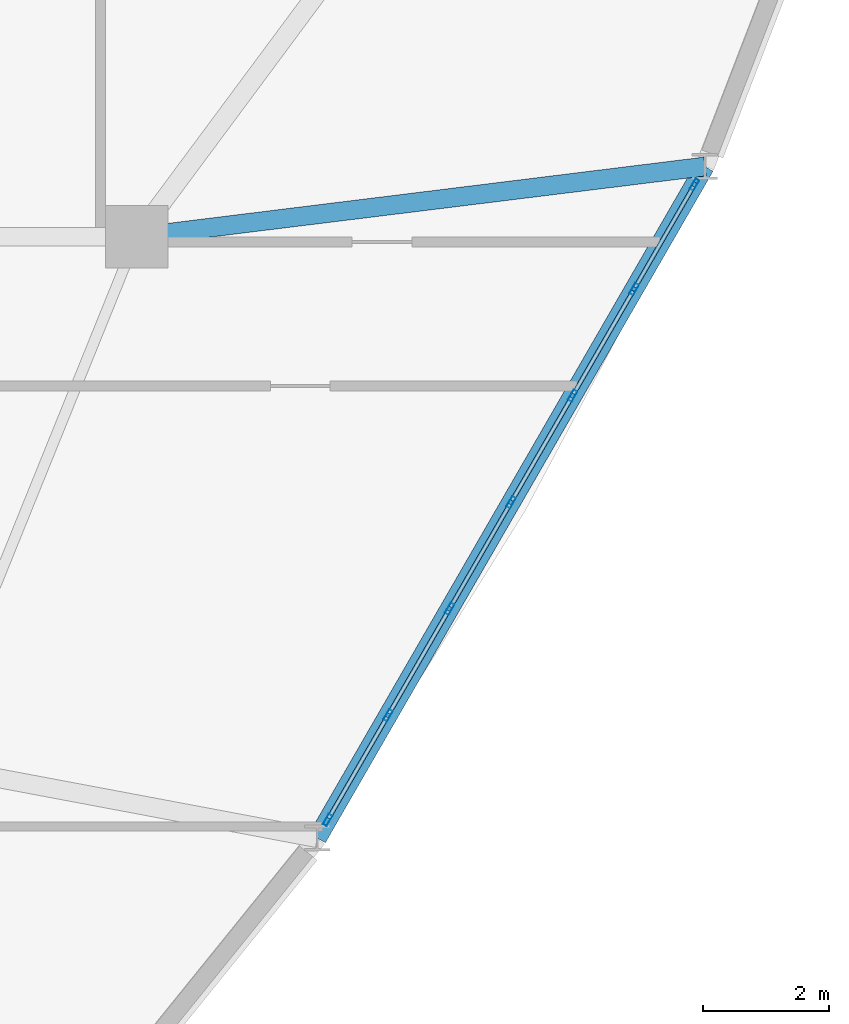
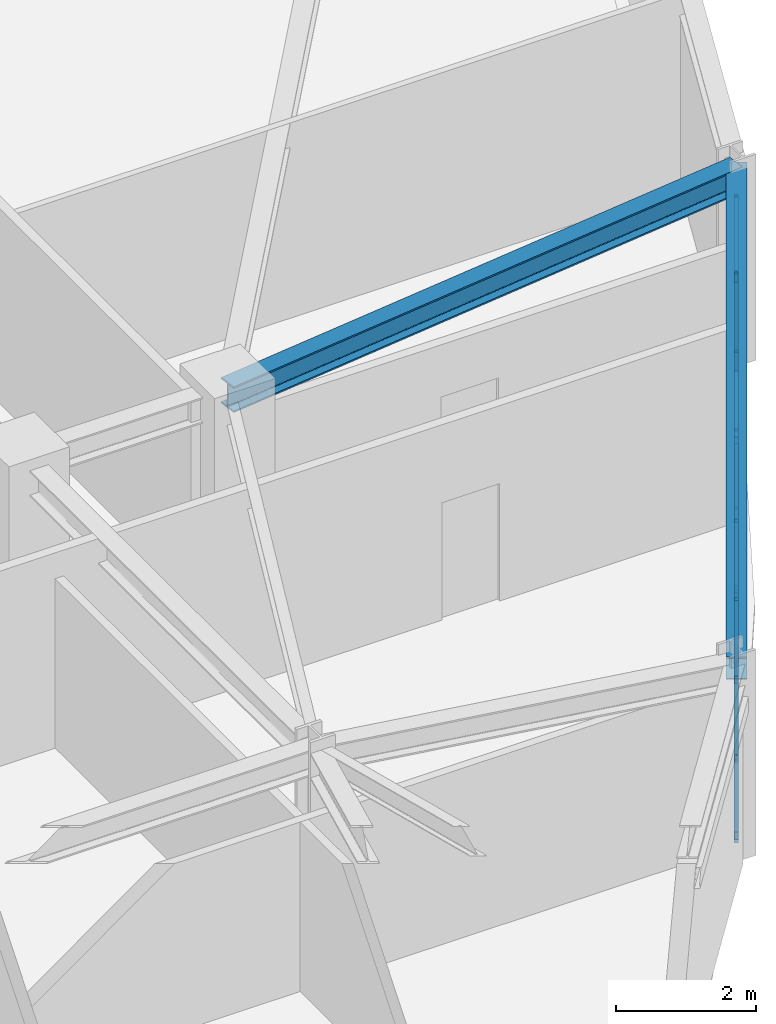
# One storey, part 6 of 19: 21 members, 2 beams, 1 element without a shape of its own.
"""IFC4 building model written with IfcOpenShell, lengths in metres."""

from ifc_helpers import new_model, si_unit, derived_unit, direction, frame, origin, origin_2d, place, context, subcontext, project, spatial, hollow_rectangle, i_section, extrude, source, transform, mapped, material, layer, layer_set, material_profile, profile_set, type_object, element, aggregate, save


model = new_model("IFC4")

# Units and contexts
model_context = context("Model", 3, precision=1e-05, world=origin(), true_north=direction((0.0, 1.0)))
body_context = subcontext(model_context, "Body", "Model", "MODEL_VIEW")
ifc_project = project(units=[si_unit("LENGTHUNIT", "METRE"), si_unit("AREAUNIT", "SQUARE_METRE"), si_unit("VOLUMEUNIT", "CUBIC_METRE"), si_unit("PLANEANGLEUNIT", "RADIAN"), si_unit("MASSUNIT", "GRAM", prefix="KILO"), derived_unit("THERMALTRANSMITTANCEUNIT", [(si_unit("POWERUNIT", "WATT"), 1), (si_unit("LENGTHUNIT", "METRE"), -2), (si_unit("THERMODYNAMICTEMPERATUREUNIT", "KELVIN"), -1)])], contexts=[model_context])

# Site, building, storey
site_placement = place(None, origin())
site = spatial("IfcSite", under=ifc_project, at=site_placement, CompositionType="ELEMENT")
building_placement = place(site_placement, origin())
building = spatial("IfcBuilding", under=site, at=building_placement, Name="Korsvarv Bourse and Concert Hall", CompositionType="ELEMENT")
storey_placement = place(building_placement, frame((0.0, 0.0, 205.800048828125)))
storey = spatial("IfcBuildingStorey", under=building, at=storey_placement, Name="L53", CompositionType="ELEMENT", Elevation=205.800048828125)

# Beams
ifc_material_1 = material(Name="Steel S355", Category="steel")
ifc_material_profile_1 = material_profile(ifc_material_1, i_section(OverallWidth=0.300048828125, OverallDepth=0.389892578125, WebThickness=0.010986328125, FlangeThickness=0.01904296875, FilletRadius=0.02099609375, at=origin_2d()), Name="HEA 400")
ifc_profile_set_1 = profile_set([ifc_material_profile_1], Name="Steel S355")
beam_type_1 = type_object("IfcBeamType", Name="BM-HEA400", PredefinedType="BEAM", material=ifc_profile_set_1)
shared_shape_1 = source(origin(), body_context, "Body", "SweptSolid", [
    extrude(i_section(OverallWidth=0.300048828125, OverallDepth=0.389892578125, WebThickness=0.010986328125, FlangeThickness=0.01904296875, FilletRadius=0.02099609375, at=origin_2d()), origin(), (0.0, 0.0, 1.0), 12.353271484375),
])
beam_1_placement = place(storey_placement, frame((50.675048828125, 22.820068359375, 3.21484375), z_axis=(0.500007577232, 0.866021029023, 0.0), x_axis=(-0.866021029023, 0.500007577232, 0.0)))
element("IfcBeam", 1, at=beam_1_placement, inside=storey, type_object=beam_type_1, Name="L53 beam B-11", PredefinedType="BEAM", context=body_context, shape_type="MappedRepresentation", body=[
    mapped(shared_shape_1, transform((0.0, 0.0, 0.0), scale=1.0)),
])
ifc_material_profile_2 = material_profile(ifc_material_1, i_section(OverallWidth=0.300048828125, OverallDepth=0.449951171875, WebThickness=0.013916015625, FlangeThickness=0.02587890625, FilletRadius=0.02099609375, at=origin_2d()), Name="HEB 450")
ifc_profile_set_2 = profile_set([ifc_material_profile_2], Name="Steel S355")
beam_type_2 = type_object("IfcBeamType", Name="BM-HEB450", PredefinedType="SPANDREL", material=ifc_profile_set_2)
shared_shape_2 = source(origin(), body_context, "Body", "SweptSolid", [
    extrude(i_section(OverallWidth=0.300048828125, OverallDepth=0.449951171875, WebThickness=0.013916015625, FlangeThickness=0.02587890625, FilletRadius=0.02099609375, at=origin_2d()), origin(), (0.0, 0.0, 1.0), 9.12060546875),
])
beam_2_placement = place(storey_placement, frame((56.851806640625, 33.518310546875, 3.18505859375), z_axis=(-0.992453132318, -0.122624549551, 0.0), x_axis=(0.122624549551, -0.992453132318, 0.0)))
element("IfcBeam", 2, at=beam_2_placement, inside=storey, type_object=beam_type_2, Name="L53 beam B-08", PredefinedType="SPANDREL", context=body_context, shape_type="MappedRepresentation", body=[
    mapped(shared_shape_2, transform((0.0, 0.0, 0.0), scale=1.0)),
])

# Curtain wall, members
ifc_material_2 = material(Name="Anodised aluminium and triple low-E glazing", Category="glass")
ifc_layer = layer(ifc_material_2, 0.199951171875)
ifc_layer_set = layer_set([ifc_layer], Name="Anodised aluminium and triple low-E glazing")
curtain_wall_type = type_object("IfcCurtainWallType", Name="CW-SYS-3", PredefinedType="NOTDEFINED", material=ifc_layer_set)
curtain_wall_placement = place(storey_placement, origin())
curtain_wall = element("IfcCurtainWall", 3, at=curtain_wall_placement, inside=storey, type_object=curtain_wall_type, Name="L53 CW3 curtain wall CW-L53-F11", PredefinedType="NOTDEFINED")
ifc_material_3 = material(Name="Extruded aluminium EN AW-6063 T66", Category="aluminium")
ifc_material_profile_3 = material_profile(ifc_material_3, hollow_rectangle(XDim=0.070068359375, YDim=0.18994140625, WallThickness=0.0048828125, at=origin_2d()), Name="ALU-M 70x190")
ifc_profile_set_3 = profile_set([ifc_material_profile_3], Name="Extruded aluminium EN AW-6063 T66")
member_type_1 = type_object("IfcMemberType", Name="CWM-190", PredefinedType="MULLION", material=ifc_profile_set_3)
shared_shape_3 = source(origin(), body_context, "Body", "SweptSolid", [
    extrude(hollow_rectangle(XDim=0.070068359375, YDim=0.18994140625, WallThickness=0.0048828125, at=origin_2d()), origin(), (0.0, 0.0, 1.0), 3.02001953125),
])
member_1_placement = place(storey_placement, frame((50.841552734375, 23.1083984375, 0.0), z_axis=(0.0, 0.0, 1.0), x_axis=(-0.86602737949, 0.499996577961, 0.0)))
member_1 = element("IfcMember", 4, at=member_1_placement, type_object=member_type_1, Name="CW3 mullion 1", PredefinedType="MULLION", context=body_context, shape_type="MappedRepresentation", body=[
    mapped(shared_shape_3, transform((0.0, 0.0, 0.0), scale=1.0)),
])
member_2_placement = place(storey_placement, frame((51.803955078125, 24.775146484375, 0.0), z_axis=(0.0, 0.0, 1.0), x_axis=(-0.86602737949, 0.499996577961, 0.0)))
member_2 = element("IfcMember", 5, at=member_2_placement, type_object=member_type_1, Name="CW3 mullion 2", PredefinedType="MULLION", context=body_context, shape_type="MappedRepresentation", body=[
    mapped(shared_shape_3, transform((0.0, 0.0, 0.0), scale=1.0)),
])
member_3_placement = place(storey_placement, frame((52.78369140625, 26.47216796875, 0.0), z_axis=(0.0, 0.0, 1.0), x_axis=(-0.86602737949, 0.499996577961, 0.0)))
member_3 = element("IfcMember", 6, at=member_3_placement, type_object=member_type_1, Name="CW3 mullion 3", PredefinedType="MULLION", context=body_context, shape_type="MappedRepresentation", body=[
    mapped(shared_shape_3, transform((0.0, 0.0, 0.0), scale=1.0)),
])
member_4_placement = place(storey_placement, frame((53.763427734375, 28.169189453125, 0.0), z_axis=(0.0, 0.0, 1.0), x_axis=(-0.86602737949, 0.499996577961, 0.0)))
member_4 = element("IfcMember", 7, at=member_4_placement, type_object=member_type_1, Name="CW3 mullion 4", PredefinedType="MULLION", context=body_context, shape_type="MappedRepresentation", body=[
    mapped(shared_shape_3, transform((0.0, 0.0, 0.0), scale=1.0)),
])
member_5_placement = place(storey_placement, frame((54.7431640625, 29.8662109375, 0.0), z_axis=(0.0, 0.0, 1.0), x_axis=(-0.86602737949, 0.499996577961, 0.0)))
member_5 = element("IfcMember", 8, at=member_5_placement, type_object=member_type_1, Name="CW3 mullion 5", PredefinedType="MULLION", context=body_context, shape_type="MappedRepresentation", body=[
    mapped(shared_shape_3, transform((0.0, 0.0, 0.0), scale=1.0)),
])
member_6_placement = place(storey_placement, frame((55.722900390625, 31.563232421875, 0.0), z_axis=(0.0, 0.0, 1.0), x_axis=(-0.86602737949, 0.499996577961, 0.0)))
member_6 = element("IfcMember", 9, at=member_6_placement, type_object=member_type_1, Name="CW3 mullion 6", PredefinedType="MULLION", context=body_context, shape_type="MappedRepresentation", body=[
    mapped(shared_shape_3, transform((0.0, 0.0, 0.0), scale=1.0)),
])
member_7_placement = place(storey_placement, frame((56.685302734375, 33.22998046875, 0.0), z_axis=(0.0, 0.0, 1.0), x_axis=(-0.86602737949, 0.499996577961, 0.0)))
member_7 = element("IfcMember", 10, at=member_7_placement, type_object=member_type_1, Name="CW3 mullion 7", PredefinedType="MULLION", context=body_context, shape_type="MappedRepresentation", body=[
    mapped(shared_shape_3, transform((0.0, 0.0, 0.0), scale=1.0)),
])
ifc_material_profile_4 = material_profile(ifc_material_3, hollow_rectangle(XDim=0.06494140625, YDim=0.139892578125, WallThickness=0.00390625, at=origin_2d()), Name="ALU-T 65x140")
ifc_profile_set_4 = profile_set([ifc_material_profile_4], Name="Extruded aluminium EN AW-6063 T66")
member_type_2 = type_object("IfcMemberType", Name="CWT-140", PredefinedType="USERDEFINED", material=ifc_profile_set_4)
shared_shape_4 = source(origin(), body_context, "Body", "SweptSolid", [
    extrude(hollow_rectangle(XDim=0.06494140625, YDim=0.139892578125, WallThickness=0.00390625, at=origin_2d()), origin(), (0.0, 0.0, 1.0), 1.8544921875),
])
member_8_placement = place(storey_placement, frame((50.859130859375, 23.138671875, 0.032470703125), z_axis=(0.500018753476, 0.866014576189, 0.0), x_axis=(-0.866014576189, 0.500018753476, 0.0)))
member_8 = element("IfcMember", 11, at=member_8_placement, type_object=member_type_2, Name="CW3 transom 1.1", ObjectType="TRANSOM", PredefinedType="USERDEFINED", context=body_context, shape_type="MappedRepresentation", body=[
    mapped(shared_shape_4, transform((0.0, 0.0, 0.0), scale=1.0)),
])
member_9_placement = place(storey_placement, frame((50.859130859375, 23.138671875, 2.987548828125), z_axis=(0.500018753476, 0.866014576189, 0.0), x_axis=(-0.866014576189, 0.500018753476, 0.0)))
member_9 = element("IfcMember", 12, at=member_9_placement, type_object=member_type_2, Name="CW3 transom 1.2", ObjectType="TRANSOM", PredefinedType="USERDEFINED", context=body_context, shape_type="MappedRepresentation", body=[
    mapped(shared_shape_4, transform((0.0, 0.0, 0.0), scale=1.0)),
])
shared_shape_5 = source(origin(), body_context, "Body", "SweptSolid", [
    extrude(hollow_rectangle(XDim=0.06494140625, YDim=0.139892578125, WallThickness=0.00390625, at=origin_2d()), origin(), (0.0, 0.0, 1.0), 1.8896484375),
])
member_10_placement = place(storey_placement, frame((51.8212890625, 24.805419921875, 0.032470703125), z_axis=(0.500002049001, 0.86602422079, 0.0), x_axis=(-0.86602422079, 0.500002049001, 0.0)))
member_10 = element("IfcMember", 13, at=member_10_placement, type_object=member_type_2, Name="CW3 transom 2.1", ObjectType="TRANSOM", PredefinedType="USERDEFINED", context=body_context, shape_type="MappedRepresentation", body=[
    mapped(shared_shape_5, transform((0.0, 0.0, 0.0), scale=1.0)),
])
member_11_placement = place(storey_placement, frame((51.8212890625, 24.805419921875, 2.987548828125), z_axis=(0.500002049001, 0.86602422079, 0.0), x_axis=(-0.86602422079, 0.500002049001, 0.0)))
member_11 = element("IfcMember", 14, at=member_11_placement, type_object=member_type_2, Name="CW3 transom 2.2", ObjectType="TRANSOM", PredefinedType="USERDEFINED", context=body_context, shape_type="MappedRepresentation", body=[
    mapped(shared_shape_5, transform((0.0, 0.0, 0.0), scale=1.0)),
])
member_12_placement = place(storey_placement, frame((53.781005859375, 28.199462890625, 0.032470703125), z_axis=(0.500002049001, 0.86602422079, 0.0), x_axis=(-0.86602422079, 0.500002049001, 0.0)))
member_12 = element("IfcMember", 15, at=member_12_placement, type_object=member_type_2, Name="CW3 transom 4.1", ObjectType="TRANSOM", PredefinedType="USERDEFINED", context=body_context, shape_type="MappedRepresentation", body=[
    mapped(shared_shape_5, transform((0.0, 0.0, 0.0), scale=1.0)),
])
member_13_placement = place(storey_placement, frame((53.781005859375, 28.199462890625, 2.987548828125), z_axis=(0.500002049001, 0.86602422079, 0.0), x_axis=(-0.86602422079, 0.500002049001, 0.0)))
member_13 = element("IfcMember", 16, at=member_13_placement, type_object=member_type_2, Name="CW3 transom 4.2", ObjectType="TRANSOM", PredefinedType="USERDEFINED", context=body_context, shape_type="MappedRepresentation", body=[
    mapped(shared_shape_5, transform((0.0, 0.0, 0.0), scale=1.0)),
])
member_14_placement = place(storey_placement, frame((54.7607421875, 29.896484375, 0.032470703125), z_axis=(0.500002049001, 0.86602422079, 0.0), x_axis=(-0.86602422079, 0.500002049001, 0.0)))
member_14 = element("IfcMember", 17, at=member_14_placement, type_object=member_type_2, Name="CW3 transom 5.1", ObjectType="TRANSOM", PredefinedType="USERDEFINED", context=body_context, shape_type="MappedRepresentation", body=[
    mapped(shared_shape_5, transform((0.0, 0.0, 0.0), scale=1.0)),
])
member_15_placement = place(storey_placement, frame((54.7607421875, 29.896484375, 2.987548828125), z_axis=(0.500002049001, 0.86602422079, 0.0), x_axis=(-0.86602422079, 0.500002049001, 0.0)))
member_15 = element("IfcMember", 18, at=member_15_placement, type_object=member_type_2, Name="CW3 transom 5.2", ObjectType="TRANSOM", PredefinedType="USERDEFINED", context=body_context, shape_type="MappedRepresentation", body=[
    mapped(shared_shape_5, transform((0.0, 0.0, 0.0), scale=1.0)),
])
shared_shape_6 = source(origin(), body_context, "Body", "SweptSolid", [
    extrude(hollow_rectangle(XDim=0.06494140625, YDim=0.139892578125, WallThickness=0.00390625, at=origin_2d()), origin(), (0.0, 0.0, 1.0), 1.889404296875),
])
member_16_placement = place(storey_placement, frame((52.80126953125, 26.50244140625, 0.032470703125), z_axis=(0.499905140254, 0.866080164158, 0.0), x_axis=(-0.866080164158, 0.499905140254, 0.0)))
member_16 = element("IfcMember", 19, at=member_16_placement, type_object=member_type_2, Name="CW3 transom 3.1", ObjectType="TRANSOM", PredefinedType="USERDEFINED", context=body_context, shape_type="MappedRepresentation", body=[
    mapped(shared_shape_6, transform((0.0, 0.0, 0.0), scale=1.0)),
])
member_17_placement = place(storey_placement, frame((52.80126953125, 26.50244140625, 2.987548828125), z_axis=(0.499905140254, 0.866080164158, 0.0), x_axis=(-0.866080164158, 0.499905140254, 0.0)))
member_17 = element("IfcMember", 20, at=member_17_placement, type_object=member_type_2, Name="CW3 transom 3.2", ObjectType="TRANSOM", PredefinedType="USERDEFINED", context=body_context, shape_type="MappedRepresentation", body=[
    mapped(shared_shape_6, transform((0.0, 0.0, 0.0), scale=1.0)),
])
ifc_material_profile_5 = material_profile(ifc_material_3, hollow_rectangle(XDim=0.06494140625, YDim=0.1650390625, WallThickness=0.0048828125, at=origin_2d()), Name="ALU-M 65x165")
ifc_profile_set_5 = profile_set([ifc_material_profile_5], Name="Extruded aluminium EN AW-6063 T66")
member_type_3 = type_object("IfcMemberType", Name="CWM-165", PredefinedType="MULLION", material=ifc_profile_set_5)
shared_shape_7 = source(origin(), body_context, "Body", "SweptSolid", [
    extrude(hollow_rectangle(XDim=0.06494140625, YDim=0.1650390625, WallThickness=0.0048828125, at=origin_2d()), origin(), (0.0, 0.0, 1.0), 3.452880859375),
])
member_18_placement = place(storey_placement, frame((52.80126953125, 26.50244140625, 0.06494140625), z_axis=(0.273570080574, 0.473957159495, 0.836973130978), x_axis=(-0.866080164158, 0.499905140254, 0.0)))
member_18 = element("IfcMember", 21, at=member_18_placement, type_object=member_type_3, Name="CW3 diagonal mullion 3", PredefinedType="MULLION", context=body_context, shape_type="MappedRepresentation", body=[
    mapped(shared_shape_7, transform((0.0, 0.0, 0.0), scale=1.0)),
])
shared_shape_8 = source(origin(), body_context, "Body", "SweptSolid", [
    extrude(hollow_rectangle(XDim=0.06494140625, YDim=0.139892578125, WallThickness=0.00390625, at=origin_2d()), origin(), (0.0, 0.0, 1.0), 1.854736328125),
])
member_19_placement = place(storey_placement, frame((55.740478515625, 31.593505859375, 0.032470703125), z_axis=(0.49996174997, 0.866047486323, 0.0), x_axis=(-0.866047486323, 0.49996174997, 0.0)))
member_19 = element("IfcMember", 22, at=member_19_placement, type_object=member_type_2, Name="CW3 transom 6.1", ObjectType="TRANSOM", PredefinedType="USERDEFINED", context=body_context, shape_type="MappedRepresentation", body=[
    mapped(shared_shape_8, transform((0.0, 0.0, 0.0), scale=1.0)),
])
member_20_placement = place(storey_placement, frame((55.740478515625, 31.593505859375, 2.987548828125), z_axis=(0.49996174997, 0.866047486323, 0.0), x_axis=(-0.866047486323, 0.49996174997, 0.0)))
member_20 = element("IfcMember", 23, at=member_20_placement, type_object=member_type_2, Name="CW3 transom 6.2", ObjectType="TRANSOM", PredefinedType="USERDEFINED", context=body_context, shape_type="MappedRepresentation", body=[
    mapped(shared_shape_8, transform((0.0, 0.0, 0.0), scale=1.0)),
])
shared_shape_9 = source(origin(), body_context, "Body", "SweptSolid", [
    extrude(hollow_rectangle(XDim=0.06494140625, YDim=0.1650390625, WallThickness=0.0048828125, at=origin_2d()), origin(), (0.0, 0.0, 1.0), 3.433837890625),
])
member_21_placement = place(storey_placement, frame((56.667724609375, 33.19970703125, 0.06494140625), z_axis=(-0.270033093834, -0.46775874785, 0.841596032574), x_axis=(0.866047486323, -0.49996174997, 0.0)))
member_21 = element("IfcMember", 24, at=member_21_placement, type_object=member_type_3, Name="CW3 diagonal mullion 6", PredefinedType="MULLION", context=body_context, shape_type="MappedRepresentation", body=[
    mapped(shared_shape_9, transform((0.0, 0.0, 0.0), scale=1.0)),
])
aggregate(curtain_wall, [member_1, member_2, member_3, member_4, member_5, member_6, member_7, member_8, member_9, member_10, member_11, member_16, member_17, member_18, member_12, member_13, member_14, member_15, member_19, member_20, member_21])

save(model, "model.ifc")
